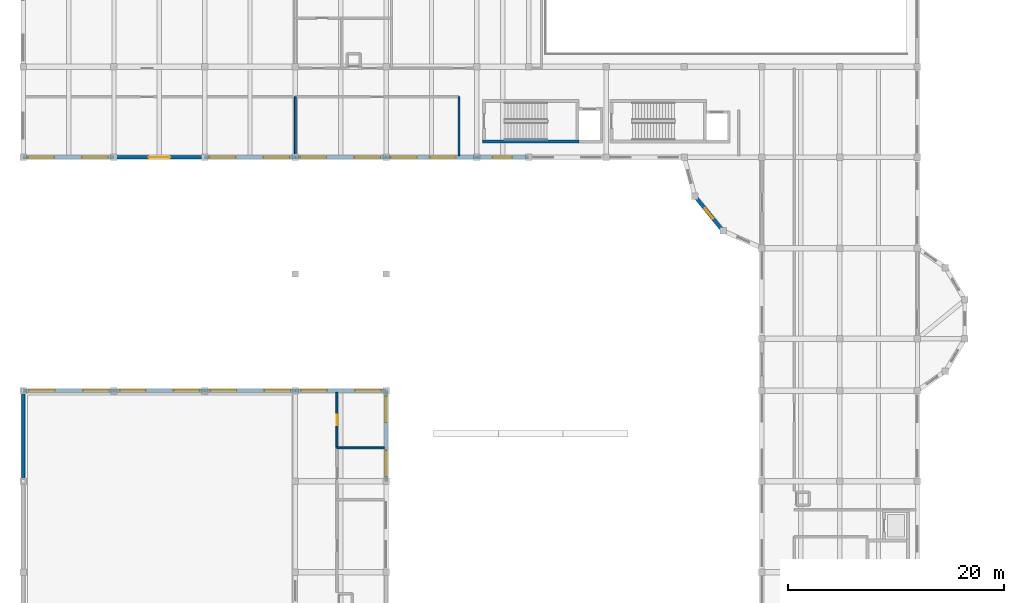
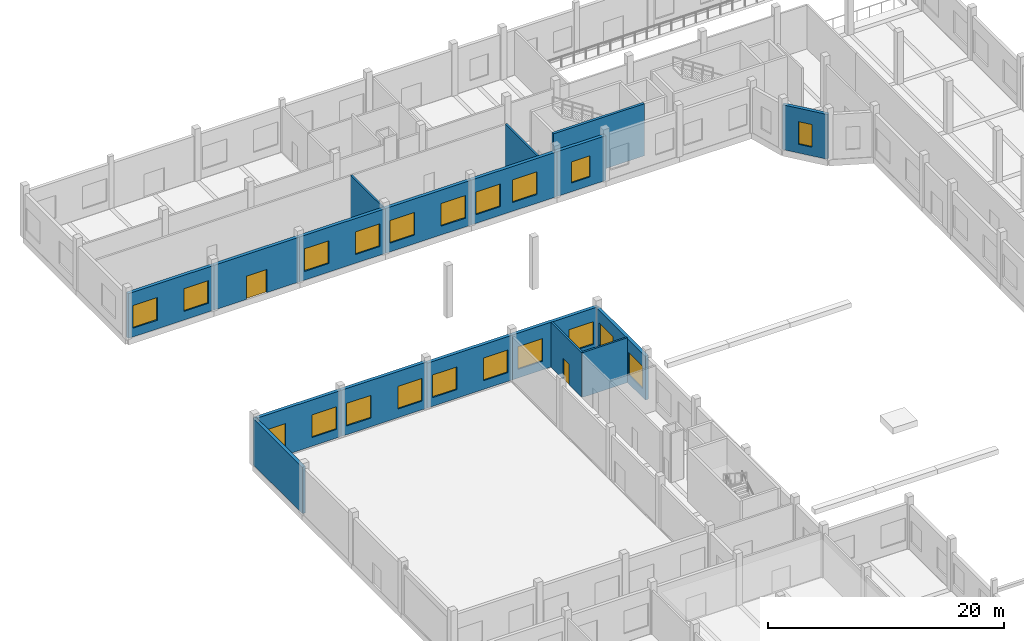
# One storey, part 22 of 41: 20 windows, 18 walls, 2 doors, 22 openings.
"""IFC4 building model written with IfcOpenShell, lengths in metres."""

from ifc_helpers import new_model, si_unit, direction, frame, frame_2d, origin, place, context, subcontext, project, spatial, rectangle, extrude, material, layer, layer_set, type_object, element, fill, save


model = new_model("IFC4")

# Units and contexts
model_context = context("Model", 3, precision=1e-05, world=origin(), true_north=direction((0.0, 1.0)))
body_context = subcontext(model_context, "Body", "Model", "MODEL_VIEW")
ifc_project = project(units=[si_unit("LENGTHUNIT", "METRE"), si_unit("AREAUNIT", "SQUARE_METRE"), si_unit("VOLUMEUNIT", "CUBIC_METRE"), si_unit("PLANEANGLEUNIT", "RADIAN"), si_unit("MASSUNIT", "GRAM", prefix="KILO")], contexts=[model_context])

# Site, building, storey
site_placement = place(None, origin())
site = spatial("IfcSite", under=ifc_project, at=site_placement, CompositionType="ELEMENT")
building_placement = place(site_placement, origin())
building = spatial("IfcBuilding", under=site, at=building_placement, Name="Kahlenmark Community Centre", CompositionType="ELEMENT")
storey_placement = place(building_placement, origin())
storey = spatial("IfcBuildingStorey", under=building, at=storey_placement, Name="L00", CompositionType="ELEMENT", Elevation=0.0)

# Wall
ifc_material_1 = material(Name="Concrete C35/45", Category="concrete")
ifc_layer_1 = layer(ifc_material_1, 0.25)
ifc_layer_set_1 = layer_set([ifc_layer_1], Name="Concrete C35/45")
wall_type_1 = type_object("IfcWallType", Name="WT-CORE-250", PredefinedType="SHEAR", material=ifc_layer_set_1)
wall_1_placement = place(storey_placement, frame((46.550048828125, 99.074951171875, 0.0), z_axis=(0.0, 0.0, 1.0), x_axis=(1.0, 0.0, 0.0)))
element("IfcWall", 1, at=wall_1_placement, inside=storey, type_object=wall_type_1, Name="Core K4 shear wall WL-CORE-K4-L00-0107", PredefinedType="SHEAR", context=body_context, shape_type="SweptSolid", body=[
    extrude(rectangle(XDim=8.89990234375, YDim=0.25, at=frame_2d((4.449951171875, 0.0))), origin(), (0.0, 0.0, 1.0), 5.39990234375),
])

# Wall, openings, windows
ifc_material_2 = material(Name="Danube limestone masonry", Category="masonry")
ifc_layer_2 = layer(ifc_material_2, 0.320068359375)
ifc_layer_set_2 = layer_set([ifc_layer_2], Name="Danube limestone masonry")
wall_type_2 = type_object("IfcWallType", Name="WT-EW-320", PredefinedType="SOLIDWALL", material=ifc_layer_set_2)
wall_2_placement = place(storey_placement, frame((12.39990234375, 76.0, 0.0), z_axis=(0.0, 0.0, 1.0), x_axis=(-1.0, 0.0, 0.0)))
wall_2 = element("IfcWall", 2, at=wall_2_placement, inside=storey, type_object=wall_type_2, Name="Exterior wall WL-EXT-L00-0155", PredefinedType="SOLIDWALL", context=body_context, shape_type="SweptSolid", body=[
    extrude(rectangle(XDim=8.39990234375, YDim=0.320068359375, at=frame_2d((4.199951171875, 0.0))), origin(), (0.0, 0.0, 1.0), 4.7900390625),
])
opening_1_placement = place(wall_2_placement, frame((0.4599609375, 0.0, 0.89990234375)))
opening_1 = element("IfcOpeningElement", 3, at=opening_1_placement, cuts=wall_2, Name="Opening W-240X235", PredefinedType="OPENING", context=body_context, shape_type="SweptSolid", body=[
    extrude(rectangle(XDim=2.39990234375, YDim=2.35009765625, at=frame_2d((1.199951171875, 1.175048828125))), frame((0.0, 0.169921875, 0.0), z_axis=(0.0, -1.0, 0.0), x_axis=(1.0, 0.0, 0.0)), (0.0, 0.0, 1.0), 0.340087890625),
])
opening_2_placement = place(wall_2_placement, frame((5.4599609375, 0.0, 0.89990234375)))
opening_2 = element("IfcOpeningElement", 4, at=opening_2_placement, cuts=wall_2, Name="Opening W-240X235", PredefinedType="OPENING", context=body_context, shape_type="SweptSolid", body=[
    extrude(rectangle(XDim=2.39990234375, YDim=2.35009765625, at=frame_2d((1.199951171875, 1.175048828125))), frame((0.0, 0.169921875, 0.0), z_axis=(0.0, -1.0, 0.0), x_axis=(1.0, 0.0, 0.0)), (0.0, 0.0, 1.0), 0.340087890625),
])
ifc_material_3 = material(Name="Triple low-e insulated glazing in timber-aluminium frame", Category="wood")
window_type_1 = type_object("IfcWindowType", Name="WNT-240X235", PartitioningType="TRIPLE_PANEL_VERTICAL", PredefinedType="WINDOW", material=ifc_material_3)
window_1_placement = place(opening_1_placement, origin())
window_1 = element("IfcWindow", 5, at=window_1_placement, inside=storey, type_object=window_type_1, Name="Window W-240X235 #0034", OverallHeight=2.35009765625, OverallWidth=2.39990234375, PartitioningType="TRIPLE_PANEL_VERTICAL", PredefinedType="WINDOW", context=body_context, shape_type="SweptSolid", body=[
    extrude(rectangle(XDim=2.39990234375, YDim=2.35009765625, at=frame_2d((1.199951171875, 1.175048828125))), frame((0.0, 0.030029296875, 0.0), z_axis=(0.0, -1.0, 0.0), x_axis=(1.0, 0.0, 0.0)), (0.0, 0.0, 1.0), 0.06005859375),
])
fill(opening_1, window_1)
window_2_placement = place(opening_2_placement, origin())
window_2 = element("IfcWindow", 6, at=window_2_placement, inside=storey, type_object=window_type_1, Name="Window W-240X235 #0035", OverallHeight=2.35009765625, OverallWidth=2.39990234375, PartitioningType="TRIPLE_PANEL_VERTICAL", PredefinedType="WINDOW", context=body_context, shape_type="SweptSolid", body=[
    extrude(rectangle(XDim=2.39990234375, YDim=2.35009765625, at=frame_2d((1.199951171875, 1.175048828125))), frame((0.0, 0.030029296875, 0.0), z_axis=(0.0, -1.0, 0.0), x_axis=(1.0, 0.0, 0.0)), (0.0, 0.0, 1.0), 0.06005859375),
])
fill(opening_2, window_2)

wall_3_placement = place(storey_placement, frame((20.800048828125, 76.0, 0.0), z_axis=(0.0, 0.0, 1.0), x_axis=(-1.0, 0.0, 0.0)))
wall_3 = element("IfcWall", 7, at=wall_3_placement, inside=storey, type_object=wall_type_2, Name="Exterior wall WL-EXT-L00-0156", PredefinedType="SOLIDWALL", context=body_context, shape_type="SweptSolid", body=[
    extrude(rectangle(XDim=8.400146484375, YDim=0.320068359375, at=frame_2d((4.2001953125, 0.0))), origin(), (0.0, 0.0, 1.0), 4.7900390625),
])
opening_3_placement = place(wall_3_placement, frame((0.4599609375, 0.0, 0.89990234375)))
opening_3 = element("IfcOpeningElement", 8, at=opening_3_placement, cuts=wall_3, Name="Opening W-240X235", PredefinedType="OPENING", context=body_context, shape_type="SweptSolid", body=[
    extrude(rectangle(XDim=2.39990234375, YDim=2.35009765625, at=frame_2d((1.199951171875, 1.175048828125))), frame((0.0, 0.169921875, 0.0), z_axis=(0.0, -1.0, 0.0), x_axis=(1.0, 0.0, 0.0)), (0.0, 0.0, 1.0), 0.340087890625),
])
opening_4_placement = place(wall_3_placement, frame((5.4599609375, 0.0, 0.89990234375)))
opening_4 = element("IfcOpeningElement", 9, at=opening_4_placement, cuts=wall_3, Name="Opening W-240X235", PredefinedType="OPENING", context=body_context, shape_type="SweptSolid", body=[
    extrude(rectangle(XDim=2.39990234375, YDim=2.35009765625, at=frame_2d((1.199951171875, 1.175048828125))), frame((0.0, 0.169921875, 0.0), z_axis=(0.0, -1.0, 0.0), x_axis=(1.0, 0.0, 0.0)), (0.0, 0.0, 1.0), 0.340087890625),
])
window_3_placement = place(opening_3_placement, origin())
window_3 = element("IfcWindow", 10, at=window_3_placement, inside=storey, type_object=window_type_1, Name="Window W-240X235 #0036", OverallHeight=2.35009765625, OverallWidth=2.39990234375, PartitioningType="TRIPLE_PANEL_VERTICAL", PredefinedType="WINDOW", context=body_context, shape_type="SweptSolid", body=[
    extrude(rectangle(XDim=2.39990234375, YDim=2.35009765625, at=frame_2d((1.199951171875, 1.175048828125))), frame((0.0, 0.030029296875, 0.0), z_axis=(0.0, -1.0, 0.0), x_axis=(1.0, 0.0, 0.0)), (0.0, 0.0, 1.0), 0.06005859375),
])
fill(opening_3, window_3)
window_4_placement = place(opening_4_placement, origin())
window_4 = element("IfcWindow", 11, at=window_4_placement, inside=storey, type_object=window_type_1, Name="Window W-240X235 #0037", OverallHeight=2.35009765625, OverallWidth=2.39990234375, PartitioningType="TRIPLE_PANEL_VERTICAL", PredefinedType="WINDOW", context=body_context, shape_type="SweptSolid", body=[
    extrude(rectangle(XDim=2.39990234375, YDim=2.35009765625, at=frame_2d((1.199951171875, 1.175048828125))), frame((0.0, 0.030029296875, 0.0), z_axis=(0.0, -1.0, 0.0), x_axis=(1.0, 0.0, 0.0)), (0.0, 0.0, 1.0), 0.06005859375),
])
fill(opening_4, window_4)

wall_4_placement = place(storey_placement, frame((29.199951171875, 76.0, 0.0), z_axis=(0.0, 0.0, 1.0), x_axis=(-1.0, 0.0, 0.0)))
wall_4 = element("IfcWall", 12, at=wall_4_placement, inside=storey, type_object=wall_type_2, Name="Exterior wall WL-EXT-L00-0157", PredefinedType="SOLIDWALL", context=body_context, shape_type="SweptSolid", body=[
    extrude(rectangle(XDim=8.39990234375, YDim=0.320068359375, at=frame_2d((4.199951171875, 0.0))), origin(), (0.0, 0.0, 1.0), 4.639892578125),
])
opening_5_placement = place(wall_4_placement, frame((0.4599609375, 0.0, 0.89990234375)))
opening_5 = element("IfcOpeningElement", 13, at=opening_5_placement, cuts=wall_4, Name="Opening W-240X235", PredefinedType="OPENING", context=body_context, shape_type="SweptSolid", body=[
    extrude(rectangle(XDim=2.39990234375, YDim=2.35009765625, at=frame_2d((1.199951171875, 1.175048828125))), frame((0.0, 0.169921875, 0.0), z_axis=(0.0, -1.0, 0.0), x_axis=(1.0, 0.0, 0.0)), (0.0, 0.0, 1.0), 0.340087890625),
])
opening_6_placement = place(wall_4_placement, frame((5.4599609375, 0.0, 0.89990234375)))
opening_6 = element("IfcOpeningElement", 14, at=opening_6_placement, cuts=wall_4, Name="Opening W-240X235", PredefinedType="OPENING", context=body_context, shape_type="SweptSolid", body=[
    extrude(rectangle(XDim=2.39990234375, YDim=2.35009765625, at=frame_2d((1.199951171875, 1.175048828125))), frame((0.0, 0.169921875, 0.0), z_axis=(0.0, -1.0, 0.0), x_axis=(1.0, 0.0, 0.0)), (0.0, 0.0, 1.0), 0.340087890625),
])
window_5_placement = place(opening_5_placement, origin())
window_5 = element("IfcWindow", 15, at=window_5_placement, inside=storey, type_object=window_type_1, Name="Window W-240X235 #0038", OverallHeight=2.35009765625, OverallWidth=2.39990234375, PartitioningType="TRIPLE_PANEL_VERTICAL", PredefinedType="WINDOW", context=body_context, shape_type="SweptSolid", body=[
    extrude(rectangle(XDim=2.39990234375, YDim=2.35009765625, at=frame_2d((1.199951171875, 1.175048828125))), frame((0.0, 0.030029296875, 0.0), z_axis=(0.0, -1.0, 0.0), x_axis=(1.0, 0.0, 0.0)), (0.0, 0.0, 1.0), 0.06005859375),
])
fill(opening_5, window_5)
window_6_placement = place(opening_6_placement, origin())
window_6 = element("IfcWindow", 16, at=window_6_placement, inside=storey, type_object=window_type_1, Name="Window W-240X235 #0039", OverallHeight=2.35009765625, OverallWidth=2.39990234375, PartitioningType="TRIPLE_PANEL_VERTICAL", PredefinedType="WINDOW", context=body_context, shape_type="SweptSolid", body=[
    extrude(rectangle(XDim=2.39990234375, YDim=2.35009765625, at=frame_2d((1.199951171875, 1.175048828125))), frame((0.0, 0.030029296875, 0.0), z_axis=(0.0, -1.0, 0.0), x_axis=(1.0, 0.0, 0.0)), (0.0, 0.0, 1.0), 0.06005859375),
])
fill(opening_6, window_6)

wall_5_placement = place(storey_placement, frame((37.60009765625, 76.0, 0.0), z_axis=(0.0, 0.0, 1.0), x_axis=(-1.0, 0.0, 0.0)))
wall_5 = element("IfcWall", 17, at=wall_5_placement, inside=storey, type_object=wall_type_2, Name="Exterior wall WL-EXT-L00-0158", PredefinedType="SOLIDWALL", context=body_context, shape_type="SweptSolid", body=[
    extrude(rectangle(XDim=8.400146484375, YDim=0.320068359375, at=frame_2d((4.2001953125, 0.0))), origin(), (0.0, 0.0, 1.0), 4.639892578125),
])
opening_7_placement = place(wall_5_placement, frame((0.4599609375, 0.0, 0.89990234375)))
opening_7 = element("IfcOpeningElement", 18, at=opening_7_placement, cuts=wall_5, Name="Opening W-240X235", PredefinedType="OPENING", context=body_context, shape_type="SweptSolid", body=[
    extrude(rectangle(XDim=2.39990234375, YDim=2.35009765625, at=frame_2d((1.199951171875, 1.175048828125))), frame((0.0, 0.169921875, 0.0), z_axis=(0.0, -1.0, 0.0), x_axis=(1.0, 0.0, 0.0)), (0.0, 0.0, 1.0), 0.340087890625),
])
opening_8_placement = place(wall_5_placement, frame((5.4599609375, 0.0, 0.89990234375)))
opening_8 = element("IfcOpeningElement", 19, at=opening_8_placement, cuts=wall_5, Name="Opening W-240X235", PredefinedType="OPENING", context=body_context, shape_type="SweptSolid", body=[
    extrude(rectangle(XDim=2.39990234375, YDim=2.35009765625, at=frame_2d((1.199951171875, 1.175048828125))), frame((0.0, 0.169921875, 0.0), z_axis=(0.0, -1.0, 0.0), x_axis=(1.0, 0.0, 0.0)), (0.0, 0.0, 1.0), 0.340087890625),
])
window_7_placement = place(opening_7_placement, origin())
window_7 = element("IfcWindow", 20, at=window_7_placement, inside=storey, type_object=window_type_1, Name="Window W-240X235 #0040", OverallHeight=2.35009765625, OverallWidth=2.39990234375, PartitioningType="TRIPLE_PANEL_VERTICAL", PredefinedType="WINDOW", context=body_context, shape_type="SweptSolid", body=[
    extrude(rectangle(XDim=2.39990234375, YDim=2.35009765625, at=frame_2d((1.199951171875, 1.175048828125))), frame((0.0, 0.030029296875, 0.0), z_axis=(0.0, -1.0, 0.0), x_axis=(1.0, 0.0, 0.0)), (0.0, 0.0, 1.0), 0.06005859375),
])
fill(opening_7, window_7)
window_8_placement = place(opening_8_placement, origin())
window_8 = element("IfcWindow", 21, at=window_8_placement, inside=storey, type_object=window_type_1, Name="Window W-240X235 #0041", OverallHeight=2.35009765625, OverallWidth=2.39990234375, PartitioningType="TRIPLE_PANEL_VERTICAL", PredefinedType="WINDOW", context=body_context, shape_type="SweptSolid", body=[
    extrude(rectangle(XDim=2.39990234375, YDim=2.35009765625, at=frame_2d((1.199951171875, 1.175048828125))), frame((0.0, 0.030029296875, 0.0), z_axis=(0.0, -1.0, 0.0), x_axis=(1.0, 0.0, 0.0)), (0.0, 0.0, 1.0), 0.06005859375),
])
fill(opening_8, window_8)

# Wall
wall_6_placement = place(storey_placement, frame((4.0, 76.0, 0.0), z_axis=(0.0, 0.0, 1.0), x_axis=(0.0, -1.0, 0.0)))
element("IfcWall", 22, at=wall_6_placement, inside=storey, type_object=wall_type_2, Name="Exterior wall WL-EXT-L00-0162", PredefinedType="SOLIDWALL", context=body_context, shape_type="SweptSolid", body=[
    extrude(rectangle(XDim=8.39990234375, YDim=0.320068359375, at=frame_2d((4.199951171875, 0.0))), origin(), (0.0, 0.0, 1.0), 4.7900390625),
])

# Wall, openings, windows
wall_7_placement = place(storey_placement, frame((37.60009765625, 67.60009765625, 0.0), z_axis=(0.0, 0.0, 1.0), x_axis=(0.0, 1.0, 0.0)))
wall_7 = element("IfcWall", 23, at=wall_7_placement, inside=storey, type_object=wall_type_2, Name="Exterior wall WL-EXT-L00-0166", PredefinedType="SOLIDWALL", context=body_context, shape_type="SweptSolid", body=[
    extrude(rectangle(XDim=8.39990234375, YDim=0.320068359375, at=frame_2d((4.199951171875, 0.0))), origin(), (0.0, 0.0, 1.0), 4.5400390625),
])
opening_9_placement = place(wall_7_placement, frame((0.4599609375, 0.0, 0.89990234375)))
opening_9 = element("IfcOpeningElement", 24, at=opening_9_placement, cuts=wall_7, Name="Opening W-240X235", PredefinedType="OPENING", context=body_context, shape_type="SweptSolid", body=[
    extrude(rectangle(XDim=2.39990234375, YDim=2.35009765625, at=frame_2d((1.199951171875, 1.175048828125))), frame((0.0, 0.169921875, 0.0), z_axis=(0.0, -1.0, 0.0), x_axis=(1.0, 0.0, 0.0)), (0.0, 0.0, 1.0), 0.340087890625),
])
opening_10_placement = place(wall_7_placement, frame((5.4599609375, 0.0, 0.89990234375)))
opening_10 = element("IfcOpeningElement", 25, at=opening_10_placement, cuts=wall_7, Name="Opening W-240X235", PredefinedType="OPENING", context=body_context, shape_type="SweptSolid", body=[
    extrude(rectangle(XDim=2.39990234375, YDim=2.35009765625, at=frame_2d((1.199951171875, 1.175048828125))), frame((0.0, 0.169921875, 0.0), z_axis=(0.0, -1.0, 0.0), x_axis=(1.0, 0.0, 0.0)), (0.0, 0.0, 1.0), 0.340087890625),
])
window_9_placement = place(opening_9_placement, origin())
window_9 = element("IfcWindow", 26, at=window_9_placement, inside=storey, type_object=window_type_1, Name="Window W-240X235 #0046", OverallHeight=2.35009765625, OverallWidth=2.39990234375, PartitioningType="TRIPLE_PANEL_VERTICAL", PredefinedType="WINDOW", context=body_context, shape_type="SweptSolid", body=[
    extrude(rectangle(XDim=2.39990234375, YDim=2.35009765625, at=frame_2d((1.199951171875, 1.175048828125))), frame((0.0, 0.030029296875, 0.0), z_axis=(0.0, -1.0, 0.0), x_axis=(1.0, 0.0, 0.0)), (0.0, 0.0, 1.0), 0.06005859375),
])
fill(opening_9, window_9)
window_10_placement = place(opening_10_placement, origin())
window_10 = element("IfcWindow", 27, at=window_10_placement, inside=storey, type_object=window_type_1, Name="Window W-240X235 #0047", OverallHeight=2.35009765625, OverallWidth=2.39990234375, PartitioningType="TRIPLE_PANEL_VERTICAL", PredefinedType="WINDOW", context=body_context, shape_type="SweptSolid", body=[
    extrude(rectangle(XDim=2.39990234375, YDim=2.35009765625, at=frame_2d((1.199951171875, 1.175048828125))), frame((0.0, 0.030029296875, 0.0), z_axis=(0.0, -1.0, 0.0), x_axis=(1.0, 0.0, 0.0)), (0.0, 0.0, 1.0), 0.06005859375),
])
fill(opening_10, window_10)

wall_8_placement = place(storey_placement, frame((4.0, 97.60009765625, 0.0), z_axis=(0.0, 0.0, 1.0), x_axis=(1.0, 0.0, 0.0)))
wall_8 = element("IfcWall", 28, at=wall_8_placement, inside=storey, type_object=wall_type_2, Name="Exterior wall WL-EXT-L00-0179", PredefinedType="SOLIDWALL", context=body_context, shape_type="SweptSolid", body=[
    extrude(rectangle(XDim=8.39990234375, YDim=0.320068359375, at=frame_2d((4.199951171875, 0.0))), origin(), (0.0, 0.0, 1.0), 4.639892578125),
])
opening_11_placement = place(wall_8_placement, frame((0.4599609375, 0.0, 0.89990234375)))
opening_11 = element("IfcOpeningElement", 29, at=opening_11_placement, cuts=wall_8, Name="Opening W-240X235", PredefinedType="OPENING", context=body_context, shape_type="SweptSolid", body=[
    extrude(rectangle(XDim=2.39990234375, YDim=2.35009765625, at=frame_2d((1.199951171875, 1.175048828125))), frame((0.0, 0.169921875, 0.0), z_axis=(0.0, -1.0, 0.0), x_axis=(1.0, 0.0, 0.0)), (0.0, 0.0, 1.0), 0.340087890625),
])
opening_12_placement = place(wall_8_placement, frame((5.4599609375, 0.0, 0.89990234375)))
opening_12 = element("IfcOpeningElement", 30, at=opening_12_placement, cuts=wall_8, Name="Opening W-240X235", PredefinedType="OPENING", context=body_context, shape_type="SweptSolid", body=[
    extrude(rectangle(XDim=2.39990234375, YDim=2.35009765625, at=frame_2d((1.199951171875, 1.175048828125))), frame((0.0, 0.169921875, 0.0), z_axis=(0.0, -1.0, 0.0), x_axis=(1.0, 0.0, 0.0)), (0.0, 0.0, 1.0), 0.340087890625),
])
window_11_placement = place(opening_11_placement, origin())
window_11 = element("IfcWindow", 31, at=window_11_placement, inside=storey, type_object=window_type_1, Name="Window W-240X235 #0066", OverallHeight=2.35009765625, OverallWidth=2.39990234375, PartitioningType="TRIPLE_PANEL_VERTICAL", PredefinedType="WINDOW", context=body_context, shape_type="SweptSolid", body=[
    extrude(rectangle(XDim=2.39990234375, YDim=2.35009765625, at=frame_2d((1.199951171875, 1.175048828125))), frame((0.0, 0.030029296875, 0.0), z_axis=(0.0, -1.0, 0.0), x_axis=(1.0, 0.0, 0.0)), (0.0, 0.0, 1.0), 0.06005859375),
])
fill(opening_11, window_11)
window_12_placement = place(opening_12_placement, origin())
window_12 = element("IfcWindow", 32, at=window_12_placement, inside=storey, type_object=window_type_1, Name="Window W-240X235 #0067", OverallHeight=2.35009765625, OverallWidth=2.39990234375, PartitioningType="TRIPLE_PANEL_VERTICAL", PredefinedType="WINDOW", context=body_context, shape_type="SweptSolid", body=[
    extrude(rectangle(XDim=2.39990234375, YDim=2.35009765625, at=frame_2d((1.199951171875, 1.175048828125))), frame((0.0, 0.030029296875, 0.0), z_axis=(0.0, -1.0, 0.0), x_axis=(1.0, 0.0, 0.0)), (0.0, 0.0, 1.0), 0.06005859375),
])
fill(opening_12, window_12)

# Wall, opening, door
wall_9_placement = place(storey_placement, frame((12.39990234375, 97.60009765625, 0.0), z_axis=(0.0, 0.0, 1.0), x_axis=(1.0, 0.0, 0.0)))
wall_9 = element("IfcWall", 33, at=wall_9_placement, inside=storey, type_object=wall_type_2, Name="Exterior wall WL-EXT-L00-0180", PredefinedType="SOLIDWALL", context=body_context, shape_type="SweptSolid", body=[
    extrude(rectangle(XDim=8.400146484375, YDim=0.320068359375, at=frame_2d((4.2001953125, 0.0))), origin(), (0.0, 0.0, 1.0), 4.639892578125),
])
opening_13_placement = place(wall_9_placement, frame((3.199951171875, 0.0, -0.010009765625)))
opening_13 = element("IfcOpeningElement", 34, at=opening_13_placement, cuts=wall_9, Name="Opening D-EX04", PredefinedType="OPENING", context=body_context, shape_type="SweptSolid", body=[
    extrude(rectangle(XDim=2.0, YDim=2.409912109375, at=frame_2d((1.0, 1.205078125))), frame((0.0, 0.169921875, 0.0), z_axis=(0.0, -1.0, 0.0), x_axis=(1.0, 0.0, 0.0)), (0.0, 0.0, 1.0), 0.340087890625),
])
ifc_material_4 = material(Name="Thermally broken glazed aluminium double entrance door", Category="aluminium")
door_type_1 = type_object("IfcDoorType", Name="DT-EXT-200X240", OperationType="NOTDEFINED", PredefinedType="DOOR", material=ifc_material_4)
door_1_placement = place(opening_13_placement, frame((0.0, 0.0, 0.010009765625)))
door_1 = element("IfcDoor", 35, at=door_1_placement, inside=storey, type_object=door_type_1, Name="Exterior door D-EX04", OperationType="DOUBLE_SWING_LEFT", OverallHeight=2.39990234375, OverallWidth=2.0, PredefinedType="DOOR", context=body_context, shape_type="SweptSolid", body=[
    extrude(rectangle(XDim=2.0, YDim=2.39990234375, at=frame_2d((1.0, 1.199951171875))), frame((0.0, 0.02490234375, 0.0), z_axis=(0.0, -1.0, 0.0), x_axis=(1.0, 0.0, 0.0)), (0.0, 0.0, 1.0), 0.050048828125),
])
fill(opening_13, door_1)

# Wall, openings, windows
wall_10_placement = place(storey_placement, frame((20.800048828125, 97.60009765625, 0.0), z_axis=(0.0, 0.0, 1.0), x_axis=(1.0, 0.0, 0.0)))
wall_10 = element("IfcWall", 36, at=wall_10_placement, inside=storey, type_object=wall_type_2, Name="Exterior wall WL-EXT-L00-0181", PredefinedType="SOLIDWALL", context=body_context, shape_type="SweptSolid", body=[
    extrude(rectangle(XDim=8.39990234375, YDim=0.320068359375, at=frame_2d((4.199951171875, 0.0))), origin(), (0.0, 0.0, 1.0), 4.639892578125),
])
opening_14_placement = place(wall_10_placement, frame((0.4599609375, 0.0, 0.89990234375)))
opening_14 = element("IfcOpeningElement", 37, at=opening_14_placement, cuts=wall_10, Name="Opening W-240X235", PredefinedType="OPENING", context=body_context, shape_type="SweptSolid", body=[
    extrude(rectangle(XDim=2.39990234375, YDim=2.35009765625, at=frame_2d((1.199951171875, 1.175048828125))), frame((0.0, 0.169921875, 0.0), z_axis=(0.0, -1.0, 0.0), x_axis=(1.0, 0.0, 0.0)), (0.0, 0.0, 1.0), 0.340087890625),
])
opening_15_placement = place(wall_10_placement, frame((5.4599609375, 0.0, 0.89990234375)))
opening_15 = element("IfcOpeningElement", 38, at=opening_15_placement, cuts=wall_10, Name="Opening W-240X235", PredefinedType="OPENING", context=body_context, shape_type="SweptSolid", body=[
    extrude(rectangle(XDim=2.39990234375, YDim=2.35009765625, at=frame_2d((1.199951171875, 1.175048828125))), frame((0.0, 0.169921875, 0.0), z_axis=(0.0, -1.0, 0.0), x_axis=(1.0, 0.0, 0.0)), (0.0, 0.0, 1.0), 0.340087890625),
])
window_13_placement = place(opening_14_placement, origin())
window_13 = element("IfcWindow", 39, at=window_13_placement, inside=storey, type_object=window_type_1, Name="Window W-240X235 #0068", OverallHeight=2.35009765625, OverallWidth=2.39990234375, PartitioningType="TRIPLE_PANEL_VERTICAL", PredefinedType="WINDOW", context=body_context, shape_type="SweptSolid", body=[
    extrude(rectangle(XDim=2.39990234375, YDim=2.35009765625, at=frame_2d((1.199951171875, 1.175048828125))), frame((0.0, 0.030029296875, 0.0), z_axis=(0.0, -1.0, 0.0), x_axis=(1.0, 0.0, 0.0)), (0.0, 0.0, 1.0), 0.06005859375),
])
fill(opening_14, window_13)
window_14_placement = place(opening_15_placement, origin())
window_14 = element("IfcWindow", 40, at=window_14_placement, inside=storey, type_object=window_type_1, Name="Window W-240X235 #0069", OverallHeight=2.35009765625, OverallWidth=2.39990234375, PartitioningType="TRIPLE_PANEL_VERTICAL", PredefinedType="WINDOW", context=body_context, shape_type="SweptSolid", body=[
    extrude(rectangle(XDim=2.39990234375, YDim=2.35009765625, at=frame_2d((1.199951171875, 1.175048828125))), frame((0.0, 0.030029296875, 0.0), z_axis=(0.0, -1.0, 0.0), x_axis=(1.0, 0.0, 0.0)), (0.0, 0.0, 1.0), 0.06005859375),
])
fill(opening_15, window_14)

wall_11_placement = place(storey_placement, frame((29.199951171875, 97.60009765625, 0.0), z_axis=(0.0, 0.0, 1.0), x_axis=(1.0, 0.0, 0.0)))
wall_11 = element("IfcWall", 41, at=wall_11_placement, inside=storey, type_object=wall_type_2, Name="Exterior wall WL-EXT-L00-0182", PredefinedType="SOLIDWALL", context=body_context, shape_type="SweptSolid", body=[
    extrude(rectangle(XDim=8.400146484375, YDim=0.320068359375, at=frame_2d((4.2001953125, 0.0))), origin(), (0.0, 0.0, 1.0), 4.639892578125),
])
opening_16_placement = place(wall_11_placement, frame((0.4599609375, 0.0, 0.89990234375)))
opening_16 = element("IfcOpeningElement", 42, at=opening_16_placement, cuts=wall_11, Name="Opening W-240X235", PredefinedType="OPENING", context=body_context, shape_type="SweptSolid", body=[
    extrude(rectangle(XDim=2.39990234375, YDim=2.35009765625, at=frame_2d((1.199951171875, 1.175048828125))), frame((0.0, 0.169921875, 0.0), z_axis=(0.0, -1.0, 0.0), x_axis=(1.0, 0.0, 0.0)), (0.0, 0.0, 1.0), 0.340087890625),
])
opening_17_placement = place(wall_11_placement, frame((5.4599609375, 0.0, 0.89990234375)))
opening_17 = element("IfcOpeningElement", 43, at=opening_17_placement, cuts=wall_11, Name="Opening W-240X235", PredefinedType="OPENING", context=body_context, shape_type="SweptSolid", body=[
    extrude(rectangle(XDim=2.39990234375, YDim=2.35009765625, at=frame_2d((1.199951171875, 1.175048828125))), frame((0.0, 0.169921875, 0.0), z_axis=(0.0, -1.0, 0.0), x_axis=(1.0, 0.0, 0.0)), (0.0, 0.0, 1.0), 0.340087890625),
])
window_15_placement = place(opening_16_placement, origin())
window_15 = element("IfcWindow", 44, at=window_15_placement, inside=storey, type_object=window_type_1, Name="Window W-240X235 #0070", OverallHeight=2.35009765625, OverallWidth=2.39990234375, PartitioningType="TRIPLE_PANEL_VERTICAL", PredefinedType="WINDOW", context=body_context, shape_type="SweptSolid", body=[
    extrude(rectangle(XDim=2.39990234375, YDim=2.35009765625, at=frame_2d((1.199951171875, 1.175048828125))), frame((0.0, 0.030029296875, 0.0), z_axis=(0.0, -1.0, 0.0), x_axis=(1.0, 0.0, 0.0)), (0.0, 0.0, 1.0), 0.06005859375),
])
fill(opening_16, window_15)
window_16_placement = place(opening_17_placement, origin())
window_16 = element("IfcWindow", 45, at=window_16_placement, inside=storey, type_object=window_type_1, Name="Window W-240X235 #0071", OverallHeight=2.35009765625, OverallWidth=2.39990234375, PartitioningType="TRIPLE_PANEL_VERTICAL", PredefinedType="WINDOW", context=body_context, shape_type="SweptSolid", body=[
    extrude(rectangle(XDim=2.39990234375, YDim=2.35009765625, at=frame_2d((1.199951171875, 1.175048828125))), frame((0.0, 0.030029296875, 0.0), z_axis=(0.0, -1.0, 0.0), x_axis=(1.0, 0.0, 0.0)), (0.0, 0.0, 1.0), 0.06005859375),
])
fill(opening_17, window_16)

wall_12_placement = place(storey_placement, frame((37.60009765625, 97.60009765625, 0.0), z_axis=(0.0, 0.0, 1.0), x_axis=(1.0, 0.0, 0.0)))
wall_12 = element("IfcWall", 46, at=wall_12_placement, inside=storey, type_object=wall_type_2, Name="Exterior wall WL-EXT-L00-0183", PredefinedType="SOLIDWALL", context=body_context, shape_type="SweptSolid", body=[
    extrude(rectangle(XDim=8.39990234375, YDim=0.320068359375, at=frame_2d((4.199951171875, 0.0))), origin(), (0.0, 0.0, 1.0), 4.639892578125),
])
opening_18_placement = place(wall_12_placement, frame((0.4599609375, 0.0, 0.89990234375)))
opening_18 = element("IfcOpeningElement", 47, at=opening_18_placement, cuts=wall_12, Name="Opening W-240X235", PredefinedType="OPENING", context=body_context, shape_type="SweptSolid", body=[
    extrude(rectangle(XDim=2.39990234375, YDim=2.35009765625, at=frame_2d((1.199951171875, 1.175048828125))), frame((0.0, 0.169921875, 0.0), z_axis=(0.0, -1.0, 0.0), x_axis=(1.0, 0.0, 0.0)), (0.0, 0.0, 1.0), 0.340087890625),
])
opening_19_placement = place(wall_12_placement, frame((4.06005859375, 0.0, 0.89990234375)))
opening_19 = element("IfcOpeningElement", 48, at=opening_19_placement, cuts=wall_12, Name="Opening W-240X235", PredefinedType="OPENING", context=body_context, shape_type="SweptSolid", body=[
    extrude(rectangle(XDim=2.39990234375, YDim=2.35009765625, at=frame_2d((1.199951171875, 1.175048828125))), frame((0.0, 0.169921875, 0.0), z_axis=(0.0, -1.0, 0.0), x_axis=(1.0, 0.0, 0.0)), (0.0, 0.0, 1.0), 0.340087890625),
])
window_17_placement = place(opening_18_placement, origin())
window_17 = element("IfcWindow", 49, at=window_17_placement, inside=storey, type_object=window_type_1, Name="Window W-240X235 #0072", OverallHeight=2.35009765625, OverallWidth=2.39990234375, PartitioningType="TRIPLE_PANEL_VERTICAL", PredefinedType="WINDOW", context=body_context, shape_type="SweptSolid", body=[
    extrude(rectangle(XDim=2.39990234375, YDim=2.35009765625, at=frame_2d((1.199951171875, 1.175048828125))), frame((0.0, 0.030029296875, 0.0), z_axis=(0.0, -1.0, 0.0), x_axis=(1.0, 0.0, 0.0)), (0.0, 0.0, 1.0), 0.06005859375),
])
fill(opening_18, window_17)
window_18_placement = place(opening_19_placement, origin())
window_18 = element("IfcWindow", 50, at=window_18_placement, inside=storey, type_object=window_type_1, Name="Window W-240X235 #0073", OverallHeight=2.35009765625, OverallWidth=2.39990234375, PartitioningType="TRIPLE_PANEL_VERTICAL", PredefinedType="WINDOW", context=body_context, shape_type="SweptSolid", body=[
    extrude(rectangle(XDim=2.39990234375, YDim=2.35009765625, at=frame_2d((1.199951171875, 1.175048828125))), frame((0.0, 0.030029296875, 0.0), z_axis=(0.0, -1.0, 0.0), x_axis=(1.0, 0.0, 0.0)), (0.0, 0.0, 1.0), 0.06005859375),
])
fill(opening_19, window_18)

# Wall, opening, window
wall_13_placement = place(storey_placement, frame((46.0, 97.60009765625, 0.0), z_axis=(0.0, 0.0, 1.0), x_axis=(1.0, 0.0, 0.0)))
wall_13 = element("IfcWall", 51, at=wall_13_placement, inside=storey, type_object=wall_type_2, Name="Exterior wall WL-EXT-L00-0184", PredefinedType="SOLIDWALL", context=body_context, shape_type="SweptSolid", body=[
    extrude(rectangle(XDim=4.800048828125, YDim=0.320068359375, at=frame_2d((2.39990234375, 0.0))), origin(), (0.0, 0.0, 1.0), 4.639892578125),
])
opening_20_placement = place(wall_13_placement, frame((1.4599609375, 0.0, 0.89990234375)))
opening_20 = element("IfcOpeningElement", 52, at=opening_20_placement, cuts=wall_13, Name="Opening W-180X220", PredefinedType="OPENING", context=body_context, shape_type="SweptSolid", body=[
    extrude(rectangle(XDim=1.800048828125, YDim=2.199951171875, at=frame_2d((0.89990234375, 1.10009765625))), frame((0.0, 0.169921875, 0.0), z_axis=(0.0, -1.0, 0.0), x_axis=(1.0, 0.0, 0.0)), (0.0, 0.0, 1.0), 0.340087890625),
])
window_type_2 = type_object("IfcWindowType", Name="WNT-180X220", PartitioningType="DOUBLE_PANEL_VERTICAL", PredefinedType="WINDOW", material=ifc_material_3)
window_19_placement = place(opening_20_placement, origin())
window_19 = element("IfcWindow", 53, at=window_19_placement, inside=storey, type_object=window_type_2, Name="Window W-180X220 #0074", OverallHeight=2.199951171875, OverallWidth=1.800048828125, PartitioningType="DOUBLE_PANEL_VERTICAL", PredefinedType="WINDOW", context=body_context, shape_type="SweptSolid", body=[
    extrude(rectangle(XDim=1.800048828125, YDim=2.199951171875, at=frame_2d((0.89990234375, 1.10009765625))), frame((0.0, 0.030029296875, 0.0), z_axis=(0.0, -1.0, 0.0), x_axis=(1.0, 0.0, 0.0)), (0.0, 0.0, 1.0), 0.06005859375),
])
fill(opening_20, window_19)

wall_14_placement = place(storey_placement, frame((66.199951171875, 94.0, 0.0), z_axis=(0.0, 0.0, 1.0), x_axis=(0.630612687458, -0.776097699015, 0.0)))
wall_14 = element("IfcWall", 54, at=wall_14_placement, inside=storey, type_object=wall_type_2, Name="Rotunda plinth wall WL-ROT-L00-0772", PredefinedType="SOLIDWALL", context=body_context, shape_type="SweptSolid", body=[
    extrude(rectangle(XDim=4.123046875, YDim=0.320068359375, at=frame_2d((2.0615234375, 0.0))), origin(), (0.0, 0.0, 1.0), 4.639892578125),
])
opening_21_placement = place(wall_14_placement, frame((1.4599609375, 0.0, 0.89990234375)))
opening_21 = element("IfcOpeningElement", 55, at=opening_21_placement, cuts=wall_14, Name="Opening W-120X235", PredefinedType="OPENING", context=body_context, shape_type="SweptSolid", body=[
    extrude(rectangle(XDim=1.199951171875, YDim=2.35009765625, at=frame_2d((0.60009765625, 1.175048828125))), frame((0.0, 0.169921875, 0.0), z_axis=(0.0, -1.0, 0.0), x_axis=(1.0, 0.0, 0.0)), (0.0, 0.0, 1.0), 0.340087890625),
])
window_type_3 = type_object("IfcWindowType", Name="WNT-120X235", PartitioningType="SINGLE_PANEL", PredefinedType="WINDOW", material=ifc_material_3)
window_20_placement = place(opening_21_placement, origin())
window_20 = element("IfcWindow", 56, at=window_20_placement, inside=storey, type_object=window_type_3, Name="Window W-120X235 #0501", OverallHeight=2.35009765625, OverallWidth=1.199951171875, PartitioningType="SINGLE_PANEL", PredefinedType="WINDOW", context=body_context, shape_type="SweptSolid", body=[
    extrude(rectangle(XDim=1.199951171875, YDim=2.35009765625, at=frame_2d((0.60009765625, 1.175048828125))), frame((0.0, 0.030029296875, 0.0), z_axis=(0.0, -1.0, 0.0), x_axis=(1.0, 0.0, 0.0)), (0.0, 0.0, 1.0), 0.06005859375),
])
fill(opening_21, window_20)

# Wall, opening, door
ifc_material_5 = material(Name="Gypsum plasterboard partition", Category="gypsum")
ifc_layer_3 = layer(ifc_material_5, 0.179931640625)
ifc_layer_set_3 = layer_set([ifc_layer_3], Name="Gypsum plasterboard partition")
wall_type_3 = type_object("IfcWallType", Name="WT-PW-180", PredefinedType="PARTITIONING", material=ifc_layer_set_3)
wall_15_placement = place(storey_placement, frame((33.050048828125, 70.699951171875, 0.0), z_axis=(0.0, 0.0, 1.0), x_axis=(0.0, 1.0, 0.0)))
wall_15 = element("IfcWall", 57, at=wall_15_placement, inside=storey, type_object=wall_type_3, Name="Interior partition WL-INT-L00-0028", PredefinedType="PARTITIONING", context=body_context, shape_type="SweptSolid", body=[
    extrude(rectangle(XDim=5.150146484375, YDim=0.179931640625, at=frame_2d((2.5751953125, 0.0))), origin(), (0.0, 0.0, 1.0), 4.639892578125),
])
opening_22_placement = place(wall_15_placement, frame((2.074951171875, 0.0, -0.010009765625)))
opening_22 = element("IfcOpeningElement", 58, at=opening_22_placement, cuts=wall_15, Name="Opening D-L00-020", PredefinedType="OPENING", context=body_context, shape_type="SweptSolid", body=[
    extrude(rectangle(XDim=1.0, YDim=2.159912109375, at=frame_2d((0.5, 1.080078125))), frame((0.0, 0.099853515625, 0.0), z_axis=(0.0, -1.0, 0.0), x_axis=(1.0, 0.0, 0.0)), (0.0, 0.0, 1.0), 0.199951171875),
])
ifc_material_6 = material(Name="Oak timber veneer door leaf", Category="wood")
door_type_2 = type_object("IfcDoorType", Name="DT-INT-100X215", OperationType="NOTDEFINED", PredefinedType="DOOR", material=ifc_material_6)
door_2_placement = place(opening_22_placement, frame((0.0, 0.0, 0.010009765625)))
door_2 = element("IfcDoor", 59, at=door_2_placement, inside=storey, type_object=door_type_2, Name="Interior door D-L00-020", OperationType="SINGLE_SWING_LEFT", OverallHeight=2.14990234375, OverallWidth=1.0, PredefinedType="DOOR", context=body_context, shape_type="SweptSolid", body=[
    extrude(rectangle(XDim=1.0, YDim=2.14990234375, at=frame_2d((0.5, 1.074951171875))), frame((0.0, 0.02490234375, 0.0), z_axis=(0.0, -1.0, 0.0), x_axis=(1.0, 0.0, 0.0)), (0.0, 0.0, 1.0), 0.050048828125),
])
fill(opening_22, door_2)

# Walls
wall_16_placement = place(storey_placement, frame((33.050048828125, 70.699951171875, 0.0), z_axis=(0.0, 0.0, 1.0), x_axis=(1.0, 0.0, 0.0)))
element("IfcWall", 60, at=wall_16_placement, inside=storey, type_object=wall_type_3, Name="Interior partition WL-INT-L00-0030", PredefinedType="PARTITIONING", context=body_context, shape_type="SweptSolid", body=[
    extrude(rectangle(XDim=4.39990234375, YDim=0.179931640625, at=frame_2d((2.199951171875, 0.0))), origin(), (0.0, 0.0, 1.0), 4.639892578125),
])
for number, where, z_axis, x_axis, name in (
    (61, (29.199951171875, 97.75, 0.0), (0.0, 0.0, 1.0), (0.0, 1.0, 0.0), "Interior partition WL-INT-L00-0072"),
    (62, (44.35009765625, 97.75, 0.0), (0.0, 0.0, 1.0), (0.0, 1.0, 0.0), "Interior partition WL-INT-L00-0073"),
):
    element("IfcWall", number, at=place(storey_placement, frame(where, z_axis=z_axis, x_axis=x_axis)), inside=storey, type_object=wall_type_3, Name=name, PredefinedType="PARTITIONING", context=body_context, shape_type="SweptSolid", body=[
        extrude(rectangle(XDim=5.449951171875, YDim=0.179931640625, at=frame_2d((2.72509765625, 0.0))), origin(), (0.0, 0.0, 1.0), 4.639892578125),
    ])

save(model, "model.ifc")
